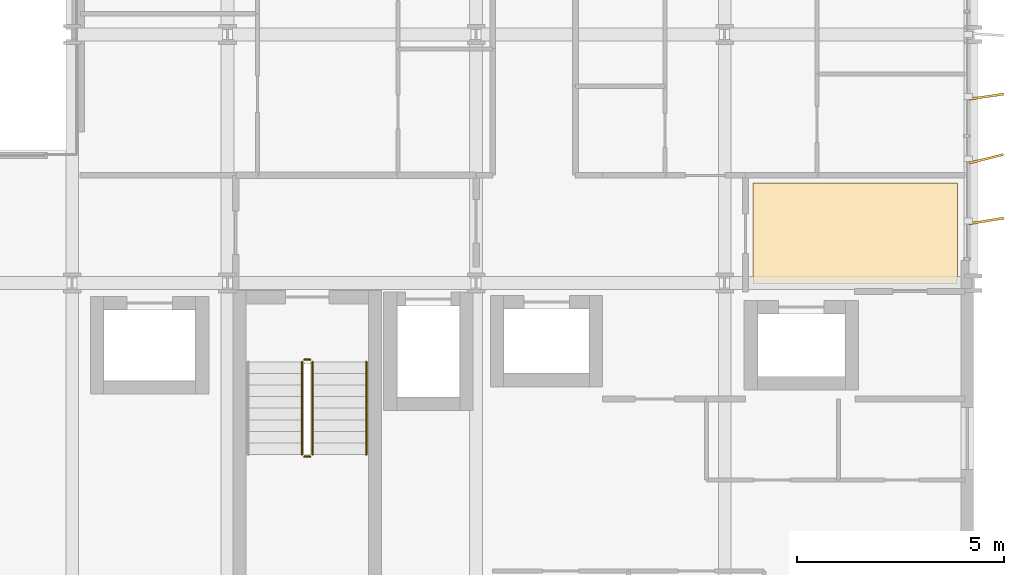
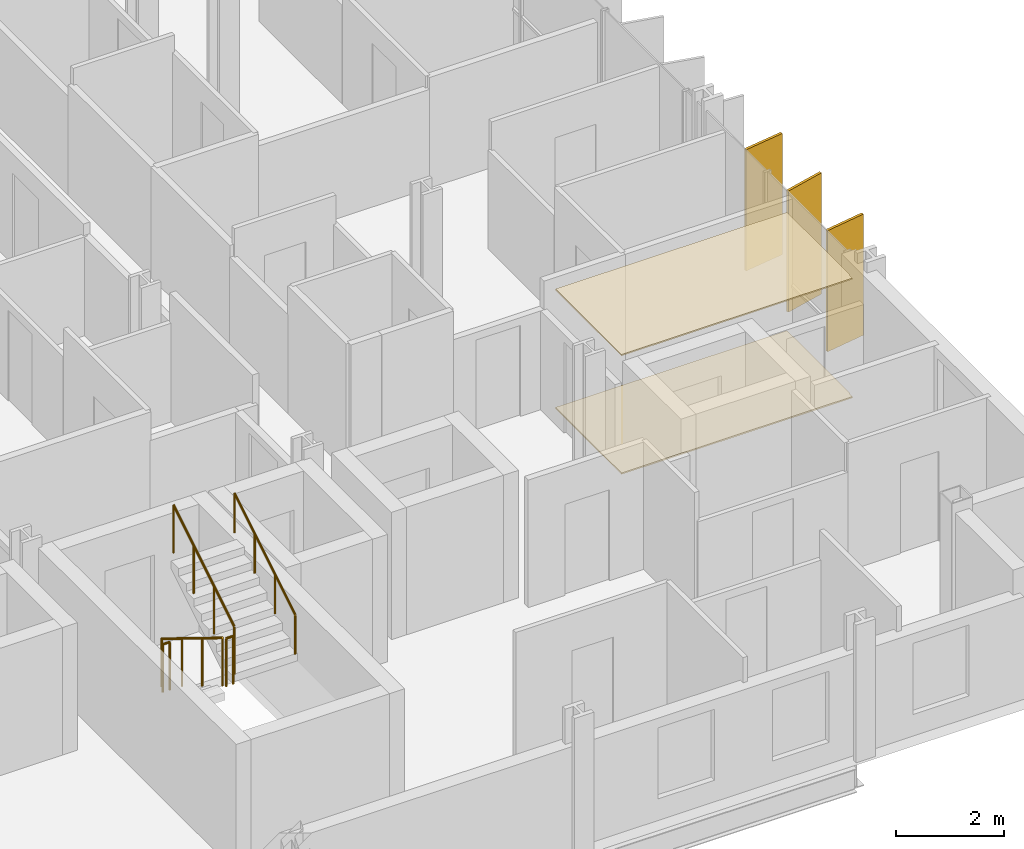
# One storey, part 38 of 39: 5 railings, 3 shading devices, 2 coverings.
"""IFC4 building model written with IfcOpenShell, lengths in metres."""

from ifc_helpers import new_model, si_unit, direction, frame, origin, origin_2d, place, context, subcontext, project, spatial, polyline, rectangle, circle, outline, extrude, material, layer, layer_set, type_object, element, save


model = new_model("IFC4")

# Units and contexts
model_context = context("Model", 3, precision=1e-05, world=origin(), true_north=direction((0.0, 1.0)))
body_context = subcontext(model_context, "Body", "Model", "MODEL_VIEW")
ifc_project = project(units=[si_unit("LENGTHUNIT", "METRE"), si_unit("AREAUNIT", "SQUARE_METRE"), si_unit("VOLUMEUNIT", "CUBIC_METRE"), si_unit("PLANEANGLEUNIT", "RADIAN"), si_unit("MASSUNIT", "GRAM", prefix="KILO")], contexts=[model_context])

# Site, building, storey
site_placement = place(None, origin())
site = spatial("IfcSite", under=ifc_project, at=site_placement, CompositionType="ELEMENT")
building_placement = place(site_placement, origin())
building = spatial("IfcBuilding", under=site, at=building_placement, Name="Brevholm Reach", CompositionType="ELEMENT")
storey_placement = place(building_placement, frame((0.0, 0.0, 40.39990234375)))
storey = spatial("IfcBuildingStorey", under=building, at=storey_placement, Name="L10", CompositionType="ELEMENT", Elevation=40.39990234375)

# Coverings
ifc_material_1 = material(Name="Moisture-Resistant Skimmed Gypsum Plasterboard Ceiling", Category="gypsum")
ifc_layer_1 = layer(ifc_material_1, 0.030029296875)
ifc_layer_set_1 = layer_set([ifc_layer_1], Name="Moisture-Resistant Skimmed Gypsum Plasterboard Ceiling")
covering_type_1 = type_object("IfcCoveringType", Name="COV-CLG-GYP", PredefinedType="CEILING", material=ifc_layer_set_1)
covering_1_placement = place(storey_placement, frame((0.0, 0.0, 2.670166015625)))
element("IfcCovering", 1, at=covering_1_placement, inside=storey, type_object=covering_type_1, Name="L10 Suspended Ceiling L10-35", PredefinedType="CEILING", context=body_context, shape_type="SweptSolid", body=[
    extrude(outline(polyline([(59.6201171875, 12.419921875), (59.6201171875, 10.123779296875), (59.6171875, 10.1162109375), (59.607666015625, 10.077880859375), (59.601806640625, 10.039306640625), (59.60009765625, 10.0), (59.60107421875, 9.97998046875), (54.68408203125, 9.97998046875), (54.68408203125, 12.419921875), (59.6201171875, 12.419921875)])), origin(), (0.0, 0.0, 1.0), 0.030029296875),
])
ifc_material_2 = material(Name="Honed Portland-Aggregate Resin Terrazzo Flooring", Category="concrete")
ifc_layer_2 = layer(ifc_material_2, 0.031982421875)
ifc_layer_set_2 = layer_set([ifc_layer_2], Name="Honed Portland-Aggregate Resin Terrazzo Flooring")
covering_type_2 = type_object("IfcCoveringType", Name="COV-FLR-TRZ", PredefinedType="FLOORING", material=ifc_layer_set_2)
covering_2_placement = place(storey_placement, origin())
element("IfcCovering", 2, at=covering_2_placement, inside=storey, type_object=covering_type_2, Name="L10 Floor Finish L10-35", PredefinedType="FLOORING", context=body_context, shape_type="SweptSolid", body=[
    extrude(outline(polyline([(59.6201171875, 12.419921875), (59.6201171875, 10.123779296875), (59.6171875, 10.1162109375), (59.607666015625, 10.077880859375), (59.601806640625, 10.039306640625), (59.60009765625, 10.0), (59.60107421875, 9.97998046875), (54.68408203125, 9.97998046875), (54.68408203125, 12.419921875), (59.6201171875, 12.419921875)])), origin(), (0.0, 0.0, 1.0), 0.031982421875),
])

# Railings
ifc_material_3 = material(Name="Brushed Stainless Steel EN 1.4401 Continuous Handrail", Category="steel")
railing_type_1 = type_object("IfcRailingType", Name="RAL-HND-950", PredefinedType="HANDRAIL", material=ifc_material_3)
railing_1_placement = place(storey_placement, frame((45.35009765625, 5.860107421875, 1.722412109375)))
element("IfcRailing", 3, at=railing_1_placement, inside=storey, type_object=railing_type_1, Name="L10 ST-2 stair handrail 2", PredefinedType="HANDRAIL", context=body_context, shape_type="SweptSolid", body=[
    extrude(circle(Radius=0.02392578125, at=origin_2d()), frame((0.0, 0.0, 0.8857421875), z_axis=(0.0, 0.85178898068, 0.523885037382), x_axis=(-1.0, 0.0, 0.0)), (0.0, 0.0, 1.0), 2.629638671875),
    extrude(circle(Radius=0.02099609375, at=origin_2d()), origin(), (0.0, 0.0, 1.0), 0.86181640625),
    extrude(circle(Radius=0.02099609375, at=origin_2d()), frame((0.0, 0.74658203125, 0.459228515625)), (0.0, 0.0, 1.0), 0.86181640625),
    extrude(circle(Radius=0.02099609375, at=origin_2d()), frame((0.0, 1.493408203125, 0.91845703125)), (0.0, 0.0, 1.0), 0.86181640625),
    extrude(circle(Radius=0.02099609375, at=origin_2d()), frame((0.0, 2.239990234375, 1.377685546875)), (0.0, 0.0, 1.0), 0.86181640625),
])
ifc_material_4 = material(Name="Painted Tubular Galvanised Steel S275JR Stair Guard", Category="steel")
railing_type_2 = type_object("IfcRailingType", Name="RAL-STG-1120", PredefinedType="BALUSTRADE", material=ifc_material_4)
railing_2_placement = place(storey_placement, frame((43.800048828125, 8.10009765625, 0.17236328125)))
element("IfcRailing", 4, at=railing_2_placement, inside=storey, type_object=railing_type_2, Name="L10 ST-2 stair guard 1", PredefinedType="BALUSTRADE", context=body_context, shape_type="SweptSolid", body=[
    extrude(circle(Radius=0.02392578125, at=origin_2d()), frame((0.0, 0.0, 1.076171875), z_axis=(0.0, -0.85178898068, 0.523885037382), x_axis=(1.0, 0.0, 0.0)), (0.0, 0.0, 1.0), 2.629638671875),
    extrude(circle(Radius=0.02099609375, at=origin_2d()), origin(), (0.0, 0.0, 1.0), 1.052001953125),
    extrude(circle(Radius=0.02099609375, at=origin_2d()), frame((0.0, -0.74658203125, 0.459228515625)), (0.0, 0.0, 1.0), 1.052001953125),
    extrude(circle(Radius=0.02099609375, at=origin_2d()), frame((0.0, -1.493408203125, 0.91845703125)), (0.0, 0.0, 1.0), 1.052001953125),
    extrude(circle(Radius=0.02099609375, at=origin_2d()), frame((0.0, -2.239990234375, 1.377685546875)), (0.0, 0.0, 1.0), 1.052001953125),
])
railing_3_placement = place(storey_placement, frame((43.85009765625, 5.81005859375, 1.550048828125)))
element("IfcRailing", 5, at=railing_3_placement, inside=storey, type_object=railing_type_2, Name="L10 ST-2 stair guard 2", PredefinedType="BALUSTRADE", context=body_context, shape_type="SweptSolid", body=[
    extrude(circle(Radius=0.02392578125, at=origin_2d()), frame((0.0, 0.0, 1.076171875), z_axis=(1.0, 0.0, 0.0), x_axis=(0.0, 1.0, 0.0)), (0.0, 0.0, 1.0), 0.14990234375),
    extrude(circle(Radius=0.02099609375, at=origin_2d()), origin(), (0.0, 0.0, 1.0), 1.052001953125),
    extrude(circle(Radius=0.02099609375, at=origin_2d()), frame((0.14990234375, 0.0, 0.0)), (0.0, 0.0, 1.0), 1.052001953125),
])
railing_4_placement = place(storey_placement, frame((44.050048828125, 5.860107421875, 1.722412109375)))
element("IfcRailing", 6, at=railing_4_placement, inside=storey, type_object=railing_type_2, Name="L10 ST-2 stair guard 3", PredefinedType="BALUSTRADE", context=body_context, shape_type="SweptSolid", body=[
    extrude(circle(Radius=0.02392578125, at=origin_2d()), frame((0.0, 0.0, 1.076171875), z_axis=(0.0, 0.85178898068, 0.523885037382), x_axis=(-1.0, 0.0, 0.0)), (0.0, 0.0, 1.0), 2.629638671875),
    extrude(circle(Radius=0.02099609375, at=origin_2d()), origin(), (0.0, 0.0, 1.0), 1.052001953125),
    extrude(circle(Radius=0.02099609375, at=origin_2d()), frame((0.0, 0.74658203125, 0.459228515625)), (0.0, 0.0, 1.0), 1.052001953125),
    extrude(circle(Radius=0.02099609375, at=origin_2d()), frame((0.0, 1.493408203125, 0.91845703125)), (0.0, 0.0, 1.0), 1.052001953125),
    extrude(circle(Radius=0.02099609375, at=origin_2d()), frame((0.0, 2.239990234375, 1.377685546875)), (0.0, 0.0, 1.0), 1.052001953125),
])
railing_5_placement = place(storey_placement, frame((43.85009765625, 8.14990234375, 0.0)))
element("IfcRailing", 7, at=railing_5_placement, inside=storey, type_object=railing_type_2, Name="L10 ST-2 stair guard 4", PredefinedType="BALUSTRADE", context=body_context, shape_type="SweptSolid", body=[
    extrude(circle(Radius=0.02392578125, at=origin_2d()), frame((0.0, 0.0, 1.076171875), z_axis=(1.0, 0.0, 0.0), x_axis=(0.0, 1.0, 0.0)), (0.0, 0.0, 1.0), 0.14990234375),
    extrude(circle(Radius=0.02099609375, at=origin_2d()), origin(), (0.0, 0.0, 1.0), 1.052001953125),
    extrude(circle(Radius=0.02099609375, at=origin_2d()), frame((0.14990234375, 0.0, 0.0)), (0.0, 0.0, 1.0), 1.052001953125),
])

# Shading devices
ifc_material_5 = material(Name="Perforated Champagne-Bronze Anodised Aluminium", Category="aluminium")
ifc_layer_3 = layer(ifc_material_5, 0.054931640625)
ifc_layer_set_3 = layer_set([ifc_layer_3], Name="Perforated Champagne-Bronze Anodised Aluminium")
shading_device_type = type_object("IfcShadingDeviceType", Name="SHD-FIN-850", PredefinedType="USERDEFINED", material=ifc_layer_set_3)
for number, where, z_axis, x_axis, name in (
    (8, (60.31494140625, 11.5, 0.070068359375), (0.0, 0.0, 1.0), (0.987388951158, 0.158313167901, 0.0), "L10 Perforated Solar Screen Fin 1"),
    (9, (60.31494140625, 13.0, 0.070068359375), (0.0, 0.0, 1.0), (0.970333715308, 0.241769478919, 0.0), "L10 Perforated Solar Screen Fin 2"),
    (10, (60.31494140625, 14.5, 0.070068359375), (0.0, 0.0, 1.0), (0.989429830788, 0.14501244756, 0.0), "L10 Perforated Solar Screen Fin 3"),
):
    element("IfcShadingDevice", number, at=place(storey_placement, frame(where, z_axis=z_axis, x_axis=x_axis)), inside=storey, type_object=shading_device_type, Name=name, ObjectType="SCREEN", PredefinedType="USERDEFINED", context=body_context, shape_type="SweptSolid", body=[
        extrude(rectangle(XDim=0.85009765625, YDim=0.054931640625, at=origin_2d()), origin(), (0.0, 0.0, 1.0), 2.72998046875),
    ])

save(model, "model.ifc")
